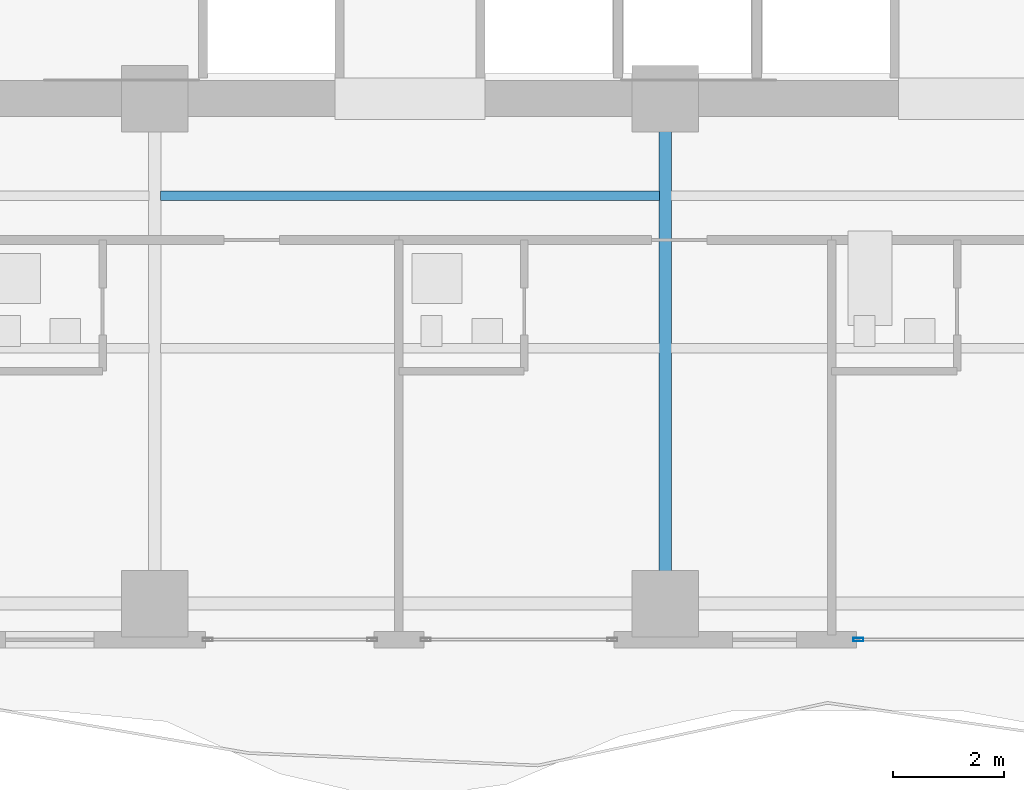
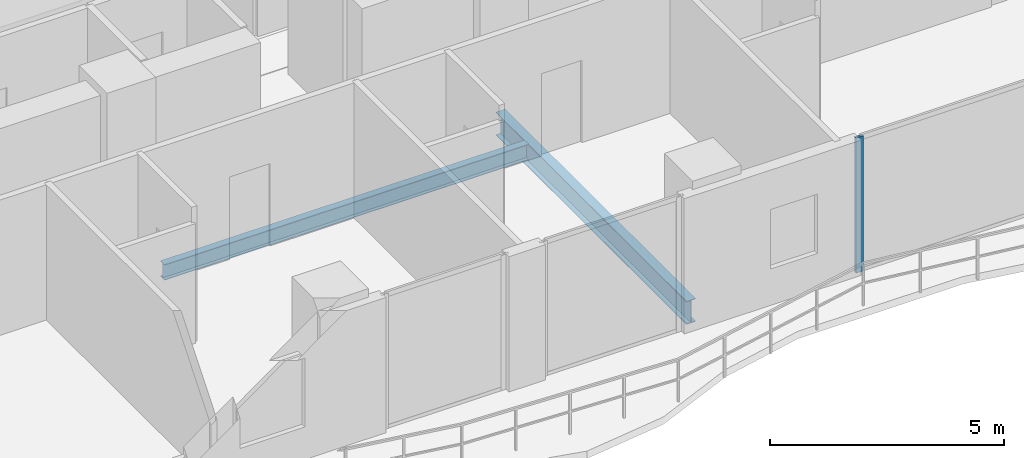
# One storey, part 7 of 33: 2 beams, 1 member, 1 element without a shape of its own.
"""IFC4 building model written with IfcOpenShell, lengths in metres."""

from ifc_helpers import new_model, si_unit, direction, frame, origin, origin_2d, place, context, subcontext, project, spatial, hollow_rectangle, i_section, extrude, material, layer, layer_set, material_profile, profile_set, type_object, element, aggregate, save


model = new_model("IFC4")

# Units and contexts
model_context = context("Model", 3, precision=1e-05, world=origin(), true_north=direction((0.0, 1.0)))
body_context = subcontext(model_context, "Body", "Model", "MODEL_VIEW")
ifc_project = project(units=[si_unit("LENGTHUNIT", "METRE"), si_unit("AREAUNIT", "SQUARE_METRE"), si_unit("VOLUMEUNIT", "CUBIC_METRE"), si_unit("PLANEANGLEUNIT", "RADIAN"), si_unit("MASSUNIT", "GRAM", prefix="KILO")], contexts=[model_context])

# Site, building, storey
site_placement = place(None, origin())
site = spatial("IfcSite", under=ifc_project, at=site_placement, CompositionType="ELEMENT")
building_placement = place(site_placement, origin())
building = spatial("IfcBuilding", under=site, at=building_placement, Name="Zuhayl Quay Hotel", CompositionType="ELEMENT")
storey_placement = place(building_placement, frame((0.0, 0.0, 199.89990234375)))
storey = spatial("IfcBuildingStorey", under=building, at=storey_placement, Name="L50", CompositionType="ELEMENT", Elevation=199.89990234375)

# Beams
ifc_material_1 = material(Name="Steel ASTM A992 Grade 50", Category="steel")
ifc_material_profile_1 = material_profile(ifc_material_1, i_section(OverallWidth=0.22802734375, OverallDepth=0.60693359375, WebThickness=0.01123046875, FlangeThickness=0.017333984375, at=origin_2d()), Name="W24X76")
ifc_profile_set_1 = profile_set([ifc_material_profile_1], Name="Steel ASTM A992 Grade 50")
beam_type_1 = type_object("IfcBeamType", Name="BM_B3_W24X76", PredefinedType="BEAM", material=ifc_profile_set_1)
beam_1_placement = place(storey_placement, frame((4.60009765625, -6.449951171875, -0.5234375), z_axis=(0.0, 1.0, 0.0), x_axis=(-1.0, 0.0, 0.0)))
element("IfcBeam", 1, at=beam_1_placement, inside=storey, type_object=beam_type_1, Name="L50 Floor Beam FG_S_L50_3", PredefinedType="BEAM", context=body_context, shape_type="SweptSolid", body=[
    extrude(i_section(OverallWidth=0.22802734375, OverallDepth=0.60693359375, WebThickness=0.01123046875, FlangeThickness=0.017333984375, at=origin_2d()), origin(), (0.0, 0.0, 1.0), 8.14990234375),
])
ifc_material_profile_2 = material_profile(ifc_material_1, i_section(OverallWidth=0.177978515625, OverallDepth=0.406005859375, WebThickness=0.0078125, FlangeThickness=0.0126953125, at=origin_2d()), Name="W16X40")
ifc_profile_set_2 = profile_set([ifc_material_profile_2], Name="Steel ASTM A992 Grade 50")
beam_type_2 = type_object("IfcBeamType", Name="BM_J2B_W16X40", PredefinedType="JOIST", material=ifc_profile_set_2)
beam_2_placement = place(storey_placement, frame((-4.493896484375, 0.39990234375, -0.4228515625), z_axis=(1.0, 0.0, 0.0), x_axis=(0.0, 1.0, 0.0)))
element("IfcBeam", 2, at=beam_2_placement, inside=storey, type_object=beam_type_2, Name="L50 Floor Beam FJ_L50_8_2", PredefinedType="JOIST", context=body_context, shape_type="SweptSolid", body=[
    extrude(i_section(OverallWidth=0.177978515625, OverallDepth=0.406005859375, WebThickness=0.0078125, FlangeThickness=0.0126953125, at=origin_2d()), origin(), (0.0, 0.0, 1.0), 8.98779296875),
])

# Curtain wall, member
ifc_material_2 = material(Name="Anodised Aluminium 6063-T6", Category="aluminium")
ifc_layer = layer(ifc_material_2, 0.175048828125, Name="Anodised Aluminium 6063-T6", Category="aluminium")
ifc_layer_set = layer_set([ifc_layer], Name="Anodised Aluminium 6063-T6")
curtain_wall_type = type_object("IfcCurtainWallType", Name="CW_SYS_Z3", PredefinedType="USERDEFINED", material=ifc_layer_set)
curtain_wall_placement = place(storey_placement, origin())
curtain_wall = element("IfcCurtainWall", 3, at=curtain_wall_placement, inside=storey, type_object=curtain_wall_type, Name="L50 Curtain Wall ENV_L50_S_CW2", ObjectType="UNITISED CURTAIN WALL", PredefinedType="USERDEFINED")
ifc_material_3 = material(Name="Black-anodised aluminium 6063-T6", Category="aluminium")
ifc_material_profile_3 = material_profile(ifc_material_3, hollow_rectangle(XDim=0.06494140625, YDim=0.179931640625, WallThickness=0.00341796875, at=origin_2d()), Name="ALU180X65")
ifc_profile_set_3 = profile_set([ifc_material_profile_3], Name="Black-anodised aluminium 6063-T6")
member_type = type_object("IfcMemberType", Name="MB_CW_MUL_180", PredefinedType="MULLION", material=ifc_profile_set_3)
member_placement = place(storey_placement, frame((8.08251953125, -7.60009765625, 0.0), z_axis=(0.0, 0.0, 1.0), x_axis=(0.0, -1.0, 0.0)))
member = element("IfcMember", 4, at=member_placement, type_object=member_type, Name="CW-Z3 mullion 2", PredefinedType="MULLION", context=body_context, shape_type="SweptSolid", body=[
    extrude(hollow_rectangle(XDim=0.06494140625, YDim=0.179931640625, WallThickness=0.00341796875, at=origin_2d()), origin(), (0.0, 0.0, 1.0), 3.530029296875),
])
aggregate(curtain_wall, [member])

save(model, "model.ifc")
